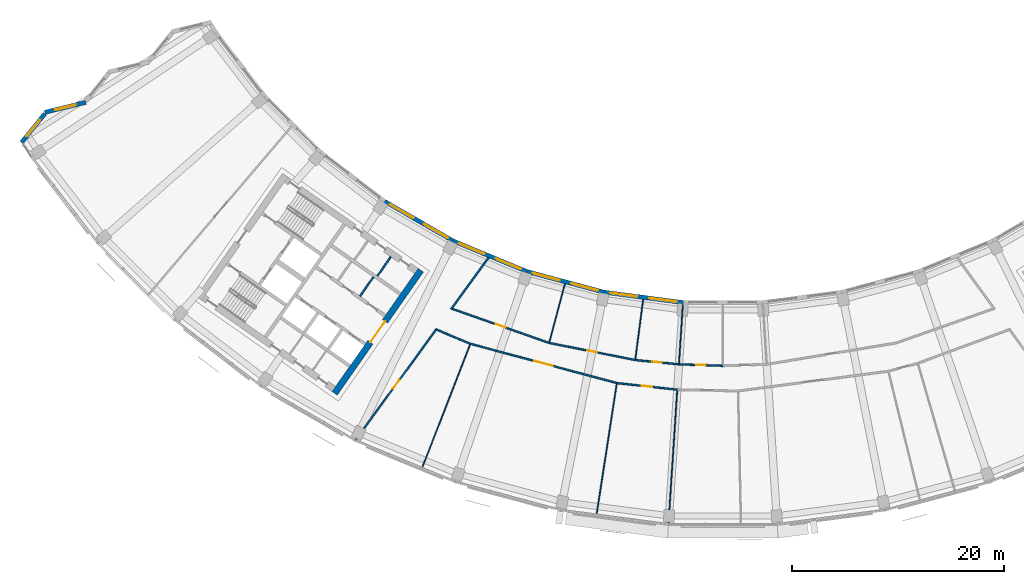
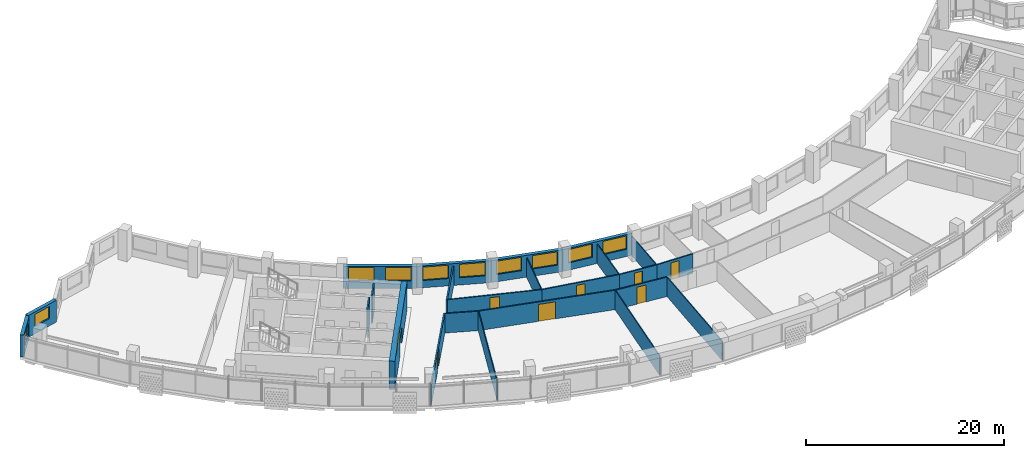
# One storey, part 4 of 29: 24 walls, 10 windows, 8 doors, 18 openings.
"""IFC4 building model written with IfcOpenShell, lengths in metres."""

from ifc_helpers import new_model, si_unit, direction, frame, frame_2d, origin, place, context, subcontext, project, spatial, rectangle, extrude, material, layer, layer_set, type_object, element, fill, save


model = new_model("IFC4")

# Units and contexts
model_context = context("Model", 3, precision=1e-05, world=origin(), true_north=direction((0.0, 1.0)))
body_context = subcontext(model_context, "Body", "Model", "MODEL_VIEW")
ifc_project = project(units=[si_unit("LENGTHUNIT", "METRE"), si_unit("AREAUNIT", "SQUARE_METRE"), si_unit("VOLUMEUNIT", "CUBIC_METRE"), si_unit("PLANEANGLEUNIT", "RADIAN"), si_unit("MASSUNIT", "GRAM", prefix="KILO")], contexts=[model_context])

# Site, building, storey
site_placement = place(None, origin())
site = spatial("IfcSite", under=ifc_project, at=site_placement, CompositionType="ELEMENT")
building_placement = place(site_placement, origin())
building = spatial("IfcBuilding", under=site, at=building_placement, Name="Qamariyya Broadcast Tower", CompositionType="ELEMENT")
storey_placement = place(building_placement, frame((0.0, 0.0, 207.5)))
storey = spatial("IfcBuildingStorey", under=building, at=storey_placement, Name="L49", CompositionType="ELEMENT", Elevation=207.5)

# Wall, opening, door
ifc_material_1 = material(Name="Concrete C60/75", Category="concrete")
ifc_layer_1 = layer(ifc_material_1, 0.60009765625)
ifc_layer_set_1 = layer_set([ifc_layer_1], Name="Core wall 600 mm Concrete C60/75")
wall_type_1 = type_object("IfcWallType", Name="Core wall 600 mm Concrete C60/75", PredefinedType="SHEAR", material=ifc_layer_set_1)
wall_1_placement = place(storey_placement, frame((-36.66748046875, -66.005126953125, 0.0), z_axis=(0.0, 0.0, 1.0), x_axis=(0.573568499524, 0.819157601658, 0.0)))
wall_1 = element("IfcWall", 1, at=wall_1_placement, inside=storey, type_object=wall_type_1, Name="k-W-L49-WA", PredefinedType="SHEAR", context=body_context, shape_type="SweptSolid", body=[
    extrude(rectangle(XDim=14.19970703125, YDim=0.60009765625, at=frame_2d((7.099853515625, 0.0))), origin(), (0.0, 0.0, 1.0), 3.5),
])
opening_1_placement = place(wall_1_placement, frame((5.89990234375, 0.0, 0.0)))
opening_1 = element("IfcOpeningElement", 2, at=opening_1_placement, cuts=wall_1, Name="Opening KD3-W1", PredefinedType="OPENING", context=body_context, shape_type="SweptSolid", body=[
    extrude(rectangle(XDim=2.39990234375, YDim=2.10009765625, at=frame_2d((1.199951171875, 1.050048828125))), frame((0.0, 0.31005859375, 0.0), z_axis=(0.0, -1.0, 0.0), x_axis=(1.0, 0.0, 0.0)), (0.0, 0.0, 1.0), 0.6201171875),
])
ifc_material_2 = material(Name="Steel fire-resisting door leaf", Category="steel")
door_type_1 = type_object("IfcDoorType", Name="Lift lobby door KD3", OperationType="DOUBLE_DOOR_SINGLE_SWING", PredefinedType="DOOR", material=ifc_material_2)
door_1_placement = place(opening_1_placement, origin())
door_1 = element("IfcDoor", 3, at=door_1_placement, inside=storey, type_object=door_type_1, Name="k-W-L49-WA-D1", OperationType="DOUBLE_DOOR_SINGLE_SWING", OverallHeight=2.10009765625, OverallWidth=2.39990234375, PredefinedType="DOOR", context=body_context, shape_type="SweptSolid", body=[
    extrude(rectangle(XDim=2.39990234375, YDim=2.10009765625, at=frame_2d((1.199951171875, 1.050048828125))), frame((0.0, 0.02490234375, 0.0), z_axis=(0.0, -1.0, 0.0), x_axis=(1.0, 0.0, 0.0)), (0.0, 0.0, 1.0), 0.050048828125),
])
fill(opening_1, door_1)

ifc_material_3 = material(Name="Gypsum board partition")
ifc_layer_2 = layer(ifc_material_3, 0.14990234375)
ifc_layer_set_2 = layer_set([ifc_layer_2], Name="Corridor partition 150 EI 60")
wall_type_2 = type_object("IfcWallType", Name="Corridor partition 150 EI 60", PredefinedType="PARTITIONING", material=ifc_layer_set_2)
wall_2_placement = place(storey_placement, frame((-27.033447265625, -59.90966796875, 0.0), z_axis=(0.0, 0.0, 1.0), x_axis=(-0.589273648147, -0.807933516819, 0.0)))
wall_2 = element("IfcWall", 4, at=wall_2_placement, inside=storey, type_object=wall_type_2, Name="Partition L49-003", PredefinedType="PARTITIONING", context=body_context, shape_type="SweptSolid", body=[
    extrude(rectangle(XDim=12.956298828125, YDim=0.14990234375, at=frame_2d((6.47802734375, 0.0))), origin(), (0.0, 0.0, 1.0), 2.39990234375),
])
opening_2_placement = place(wall_2_placement, frame((5.97802734375, 0.0, 0.0)))
opening_2 = element("IfcOpeningElement", 5, at=opening_2_placement, cuts=wall_2, Name="Opening L49-D01", PredefinedType="OPENING", context=body_context, shape_type="SweptSolid", body=[
    extrude(rectangle(XDim=1.0, YDim=2.10009765625, at=frame_2d((0.5, 1.050048828125))), frame((0.0, 0.0849609375, 0.0), z_axis=(0.0, -1.0, 0.0), x_axis=(1.0, 0.0, 0.0)), (0.0, 0.0, 1.0), 0.169921875),
])
ifc_material_4 = material(Name="Timber fire door leaf", Category="wood")
door_type_2 = type_object("IfcDoorType", Name="Fire door 1000 x 2100 FD60", OperationType="NOTDEFINED", PredefinedType="DOOR", material=ifc_material_4)
door_2_placement = place(opening_2_placement, origin())
door_2 = element("IfcDoor", 6, at=door_2_placement, inside=storey, type_object=door_type_2, Name="Door L49-D01", OperationType="SINGLE_SWING_RIGHT", OverallHeight=2.10009765625, OverallWidth=1.0, PredefinedType="DOOR", context=body_context, shape_type="SweptSolid", body=[
    extrude(rectangle(XDim=1.0, YDim=2.10009765625, at=frame_2d((0.5, 1.050048828125))), frame((0.0, 0.02490234375, 0.0), z_axis=(0.0, -1.0, 0.0), x_axis=(1.0, 0.0, 0.0)), (0.0, 0.0, 1.0), 0.050048828125),
])
fill(opening_2, door_2)

# Wall
wall_3_placement = place(storey_placement, frame((-27.008544921875, -59.999267578125, 0.0), z_axis=(0.0, 0.0, 1.0), x_axis=(0.922043605685, -0.387086023018, 0.0)))
element("IfcWall", 7, at=wall_3_placement, inside=storey, type_object=wall_type_2, Name="Partition L49-004", PredefinedType="PARTITIONING", context=body_context, shape_type="SweptSolid", body=[
    extrude(rectangle(XDim=3.42919921875, YDim=0.14990234375, at=frame_2d((1.714599609375, 0.0))), origin(), (0.0, 0.0, 1.0), 2.39990234375),
])

# Wall, opening, door
wall_4_placement = place(storey_placement, frame((-25.56103515625, -58.0126953125, 0.0), z_axis=(0.0, 0.0, 1.0), x_axis=(0.943087830275, -0.332543748081, 0.0)))
wall_4 = element("IfcWall", 8, at=wall_4_placement, inside=storey, type_object=wall_type_2, Name="Partition L49-005", PredefinedType="PARTITIONING", context=body_context, shape_type="SweptSolid", body=[
    extrude(rectangle(XDim=9.7041015625, YDim=0.14990234375, at=frame_2d((4.85205078125, 0.0))), origin(), (0.0, 0.0, 1.0), 2.39990234375),
])
opening_3_placement = place(wall_4_placement, frame((4.35205078125, 0.0, 0.0)))
opening_3 = element("IfcOpeningElement", 9, at=opening_3_placement, cuts=wall_4, Name="Opening L49-D08", PredefinedType="OPENING", context=body_context, shape_type="SweptSolid", body=[
    extrude(rectangle(XDim=1.0, YDim=2.10009765625, at=frame_2d((0.5, 1.050048828125))), frame((0.0, 0.0849609375, 0.0), z_axis=(0.0, -1.0, 0.0), x_axis=(1.0, 0.0, 0.0)), (0.0, 0.0, 1.0), 0.169921875),
])
door_3_placement = place(opening_3_placement, origin())
door_3 = element("IfcDoor", 10, at=door_3_placement, inside=storey, type_object=door_type_2, Name="Door L49-D08", OperationType="SINGLE_SWING_RIGHT", OverallHeight=2.10009765625, OverallWidth=1.0, PredefinedType="DOOR", context=body_context, shape_type="SweptSolid", body=[
    extrude(rectangle(XDim=1.0, YDim=2.10009765625, at=frame_2d((0.5, 1.050048828125))), frame((0.0, 0.02490234375, 0.0), z_axis=(0.0, -1.0, 0.0), x_axis=(1.0, 0.0, 0.0)), (0.0, 0.0, 1.0), 0.050048828125),
])
fill(opening_3, door_3)

wall_5_placement = place(storey_placement, frame((-10.011474609375, -65.033935546875, 0.0), z_axis=(0.0, 0.0, 1.0), x_axis=(-0.965923323977, 0.258828383677, 0.0)))
wall_5 = element("IfcWall", 11, at=wall_5_placement, inside=storey, type_object=wall_type_2, Name="Partition L49-006", PredefinedType="PARTITIONING", context=body_context, shape_type="SweptSolid", body=[
    extrude(rectangle(XDim=14.3232421875, YDim=0.14990234375, at=frame_2d((7.16162109375, 0.0))), origin(), (0.0, 0.0, 1.0), 2.39990234375),
])
opening_4_placement = place(wall_5_placement, frame((6.26171875, 0.0, 0.0)))
opening_4 = element("IfcOpeningElement", 12, at=opening_4_placement, cuts=wall_5, Name="Opening L49-D02", PredefinedType="OPENING", context=body_context, shape_type="SweptSolid", body=[
    extrude(rectangle(XDim=1.800048828125, YDim=2.10009765625, at=frame_2d((0.89990234375, 1.050048828125))), frame((0.0, 0.0849609375, 0.0), z_axis=(0.0, -1.0, 0.0), x_axis=(1.0, 0.0, 0.0)), (0.0, 0.0, 1.0), 0.169921875),
])
door_type_3 = type_object("IfcDoorType", Name="Double fire door 1800 x 2100 FD60", OperationType="NOTDEFINED", PredefinedType="DOOR", material=ifc_material_4)
door_4_placement = place(opening_4_placement, origin())
door_4 = element("IfcDoor", 13, at=door_4_placement, inside=storey, type_object=door_type_3, Name="Door L49-D02", OperationType="DOUBLE_DOOR_SINGLE_SWING", OverallHeight=2.10009765625, OverallWidth=1.800048828125, PredefinedType="DOOR", context=body_context, shape_type="SweptSolid", body=[
    extrude(rectangle(XDim=1.800048828125, YDim=2.10009765625, at=frame_2d((0.89990234375, 1.050048828125))), frame((0.0, 0.02490234375, 0.0), z_axis=(0.0, -1.0, 0.0), x_axis=(1.0, 0.0, 0.0)), (0.0, 0.0, 1.0), 0.050048828125),
])
fill(opening_4, door_4)

# Wall
wall_6_placement = place(storey_placement, frame((-22.135498046875, -53.1943359375, 0.0), z_axis=(0.0, 0.0, 1.0), x_axis=(-0.589297062476, -0.807916438846, 0.0)))
element("IfcWall", 14, at=wall_6_placement, inside=storey, type_object=wall_type_2, Name="Partition L49-007", PredefinedType="PARTITIONING", context=body_context, shape_type="SweptSolid", body=[
    extrude(rectangle(XDim=6.008056640625, YDim=0.14990234375, at=frame_2d((3.00390625, 0.0))), origin(), (0.0, 0.0, 1.0), 2.39990234375),
])

# Wall, opening, door
wall_7_placement = place(storey_placement, frame((-16.4091796875, -61.23974609375, 0.0), z_axis=(0.0, 0.0, 1.0), x_axis=(0.98078508005, -0.195091329256, 0.0)))
wall_7 = element("IfcWall", 15, at=wall_7_placement, inside=storey, type_object=wall_type_2, Name="Partition L49-008", PredefinedType="PARTITIONING", context=body_context, shape_type="SweptSolid", body=[
    extrude(rectangle(XDim=8.293212890625, YDim=0.14990234375, at=frame_2d((4.146484375, 0.0))), origin(), (0.0, 0.0, 1.0), 2.39990234375),
])
opening_5_placement = place(wall_7_placement, frame((3.696533203125, 0.0, 0.0)))
opening_5 = element("IfcOpeningElement", 16, at=opening_5_placement, cuts=wall_7, Name="Opening L49-D09", PredefinedType="OPENING", context=body_context, shape_type="SweptSolid", body=[
    extrude(rectangle(XDim=0.89990234375, YDim=2.10009765625, at=frame_2d((0.449951171875, 1.050048828125))), frame((0.0, 0.0849609375, 0.0), z_axis=(0.0, -1.0, 0.0), x_axis=(1.0, 0.0, 0.0)), (0.0, 0.0, 1.0), 0.169921875),
])
door_type_4 = type_object("IfcDoorType", Name="Fire door 900 x 2100 FD60", OperationType="NOTDEFINED", PredefinedType="DOOR", material=ifc_material_4)
door_5_placement = place(opening_5_placement, origin())
door_5 = element("IfcDoor", 17, at=door_5_placement, inside=storey, type_object=door_type_4, Name="Door L49-D09", OperationType="SINGLE_SWING_RIGHT", OverallHeight=2.10009765625, OverallWidth=0.89990234375, PredefinedType="DOOR", context=body_context, shape_type="SweptSolid", body=[
    extrude(rectangle(XDim=0.89990234375, YDim=2.10009765625, at=frame_2d((0.449951171875, 1.050048828125))), frame((0.0, 0.02490234375, 0.0), z_axis=(0.0, -1.0, 0.0), x_axis=(1.0, 0.0, 0.0)), (0.0, 0.0, 1.0), 0.050048828125),
])
fill(opening_5, door_5)

wall_8_placement = place(storey_placement, frame((-4.303466796875, -65.6591796875, 0.0), z_axis=(0.0, 0.0, 1.0), x_axis=(-0.99405415906, 0.108886770802, 0.0)))
wall_8 = element("IfcWall", 18, at=wall_8_placement, inside=storey, type_object=wall_type_2, Name="Partition L49-011", PredefinedType="PARTITIONING", context=body_context, shape_type="SweptSolid", body=[
    extrude(rectangle(XDim=5.7421875, YDim=0.14990234375, at=frame_2d((2.87109375, 0.0))), origin(), (0.0, 0.0, 1.0), 2.39990234375),
])
opening_6_placement = place(wall_8_placement, frame((2.37109375, 0.0, 0.0)))
opening_6 = element("IfcOpeningElement", 19, at=opening_6_placement, cuts=wall_8, Name="Opening L49-D03", PredefinedType="OPENING", context=body_context, shape_type="SweptSolid", body=[
    extrude(rectangle(XDim=1.0, YDim=2.10009765625, at=frame_2d((0.5, 1.050048828125))), frame((0.0, 0.0849609375, 0.0), z_axis=(0.0, -1.0, 0.0), x_axis=(1.0, 0.0, 0.0)), (0.0, 0.0, 1.0), 0.169921875),
])
door_6_placement = place(opening_6_placement, origin())
door_6 = element("IfcDoor", 20, at=door_6_placement, inside=storey, type_object=door_type_2, Name="Door L49-D03", OperationType="SINGLE_SWING_RIGHT", OverallHeight=2.10009765625, OverallWidth=1.0, PredefinedType="DOOR", context=body_context, shape_type="SweptSolid", body=[
    extrude(rectangle(XDim=1.0, YDim=2.10009765625, at=frame_2d((0.5, 1.050048828125))), frame((0.0, 0.02490234375, 0.0), z_axis=(0.0, -1.0, 0.0), x_axis=(1.0, 0.0, 0.0)), (0.0, 0.0, 1.0), 0.050048828125),
])
fill(opening_6, door_6)

wall_9_placement = place(storey_placement, frame((-8.275390625, -62.857666015625, 0.0), z_axis=(0.0, 0.0, 1.0), x_axis=(0.995188667069, -0.097977124567, 0.0)))
wall_9 = element("IfcWall", 21, at=wall_9_placement, inside=storey, type_object=wall_type_2, Name="Partition L49-012", PredefinedType="PARTITIONING", context=body_context, shape_type="SweptSolid", body=[
    extrude(rectangle(XDim=4.14892578125, YDim=0.14990234375, at=frame_2d((2.074462890625, 0.0))), origin(), (0.0, 0.0, 1.0), 2.39990234375),
])
opening_7_placement = place(wall_9_placement, frame((1.62451171875, 0.0, 0.0)))
opening_7 = element("IfcOpeningElement", 22, at=opening_7_placement, cuts=wall_9, Name="Opening L49-D10", PredefinedType="OPENING", context=body_context, shape_type="SweptSolid", body=[
    extrude(rectangle(XDim=0.89990234375, YDim=2.10009765625, at=frame_2d((0.449951171875, 1.050048828125))), frame((0.0, 0.0849609375, 0.0), z_axis=(0.0, -1.0, 0.0), x_axis=(1.0, 0.0, 0.0)), (0.0, 0.0, 1.0), 0.169921875),
])
door_7_placement = place(opening_7_placement, origin())
door_7 = element("IfcDoor", 23, at=door_7_placement, inside=storey, type_object=door_type_4, Name="Door L49-D10", OperationType="SINGLE_SWING_RIGHT", OverallHeight=2.10009765625, OverallWidth=0.89990234375, PredefinedType="DOOR", context=body_context, shape_type="SweptSolid", body=[
    extrude(rectangle(XDim=0.89990234375, YDim=2.10009765625, at=frame_2d((0.449951171875, 1.050048828125))), frame((0.0, 0.02490234375, 0.0), z_axis=(0.0, -1.0, 0.0), x_axis=(1.0, 0.0, 0.0)), (0.0, 0.0, 1.0), 0.050048828125),
])
fill(opening_7, door_7)

wall_10_placement = place(storey_placement, frame((-4.146484375, -63.26416015625, 0.0), z_axis=(0.0, 0.0, 1.0), x_axis=(0.999464584765, -0.032719165634, 0.0)))
wall_10 = element("IfcWall", 24, at=wall_10_placement, inside=storey, type_object=wall_type_2, Name="Partition L49-016", PredefinedType="PARTITIONING", context=body_context, shape_type="SweptSolid", body=[
    extrude(rectangle(XDim=4.148681640625, YDim=0.14990234375, at=frame_2d((2.07421875, 0.0))), origin(), (0.0, 0.0, 1.0), 2.39990234375),
])
opening_8_placement = place(wall_10_placement, frame((1.62451171875, 0.0, 0.0)))
opening_8 = element("IfcOpeningElement", 25, at=opening_8_placement, cuts=wall_10, Name="Opening L49-D11", PredefinedType="OPENING", context=body_context, shape_type="SweptSolid", body=[
    extrude(rectangle(XDim=0.89990234375, YDim=2.10009765625, at=frame_2d((0.449951171875, 1.050048828125))), frame((0.0, 0.0849609375, 0.0), z_axis=(0.0, -1.0, 0.0), x_axis=(1.0, 0.0, 0.0)), (0.0, 0.0, 1.0), 0.169921875),
])
door_8_placement = place(opening_8_placement, origin())
door_8 = element("IfcDoor", 26, at=door_8_placement, inside=storey, type_object=door_type_4, Name="Door L49-D11", OperationType="SINGLE_SWING_RIGHT", OverallHeight=2.10009765625, OverallWidth=0.89990234375, PredefinedType="DOOR", context=body_context, shape_type="SweptSolid", body=[
    extrude(rectangle(XDim=0.89990234375, YDim=2.10009765625, at=frame_2d((0.449951171875, 1.050048828125))), frame((0.0, 0.02490234375, 0.0), z_axis=(0.0, -1.0, 0.0), x_axis=(1.0, 0.0, 0.0)), (0.0, 0.0, 1.0), 0.050048828125),
])
fill(opening_8, door_8)

# Walls
ifc_material_5 = material(Name="Gypsum board partition on steel studs", Category="steel")
ifc_layer_3 = layer(ifc_material_5, 0.14990234375)
ifc_layer_set_3 = layer_set([ifc_layer_3], Name="Gypsum board partition 150 mm")
wall_type_3 = type_object("IfcWallType", Name="Gypsum board partition 150 mm", PredefinedType="PARTITIONING", material=ifc_layer_set_3)
wall_11_placement = place(storey_placement, frame((-34.26611328125, -56.822021484375, 0.0), z_axis=(0.0, 0.0, 1.0), x_axis=(0.573581496053, 0.819148501424, 0.0)))
element("IfcWall", 27, at=wall_11_placement, inside=storey, type_object=wall_type_3, Name="k-W-L49-NC300", PredefinedType="PARTITIONING", context=body_context, shape_type="SweptSolid", body=[
    extrude(rectangle(XDim=2.2001953125, YDim=0.14990234375, at=frame_2d((1.10009765625, 0.0))), origin(), (0.0, 0.0, 1.0), 3.5),
])
wall_12_placement = place(storey_placement, frame((-32.627197265625, -54.91748046875, 0.0), z_axis=(0.0, 0.0, 1.0), x_axis=(0.573507030513, 0.819200638399, 0.0)))
element("IfcWall", 28, at=wall_12_placement, inside=storey, type_object=wall_type_3, Name="k-W-L49-NP275", PredefinedType="PARTITIONING", context=body_context, shape_type="SweptSolid", body=[
    extrude(rectangle(XDim=2.199951171875, YDim=0.14990234375, at=frame_2d((1.10009765625, 0.0))), origin(), (0.0, 0.0, 1.0), 3.5),
])
ifc_layer_4 = layer(ifc_material_3, 0.10009765625)
ifc_layer_set_4 = layer_set([ifc_layer_4], Name="Partition 100")
wall_type_4 = type_object("IfcWallType", Name="Partition 100", PredefinedType="PARTITIONING", material=ifc_layer_set_4)
wall_13_placement = place(storey_placement, frame((-28.376953125, -72.977294921875, 0.0), z_axis=(0.0, 0.0, 1.0), x_axis=(0.362402643561, 0.932021632764, 0.0)))
element("IfcWall", 29, at=wall_13_placement, inside=storey, type_object=wall_type_4, Name="Partition L49-002", PredefinedType="PARTITIONING", context=body_context, shape_type="SweptSolid", body=[
    extrude(rectangle(XDim=12.42529296875, YDim=0.10009765625, at=frame_2d((6.212646484375, 0.0))), origin(), (0.0, 0.0, 1.0), 2.39990234375),
])
wall_14_placement = place(storey_placement, frame((-14.9150390625, -55.66357421875, 0.0), z_axis=(0.0, 0.0, 1.0), x_axis=(-0.258803907589, -0.965929882247, 0.0)))
element("IfcWall", 30, at=wall_14_placement, inside=storey, type_object=wall_type_4, Name="Partition L49-009", PredefinedType="PARTITIONING", context=body_context, shape_type="SweptSolid", body=[
    extrude(rectangle(XDim=5.69775390625, YDim=0.10009765625, at=frame_2d((2.848876953125, 0.0))), origin(), (0.0, 0.0, 1.0), 2.39990234375),
])
wall_15_placement = place(storey_placement, frame((-11.91357421875, -77.388671875, 0.0), z_axis=(0.0, 0.0, 1.0), x_axis=(0.152160538539, 0.988355791459, 0.0)))
element("IfcWall", 31, at=wall_15_placement, inside=storey, type_object=wall_type_4, Name="Partition L49-010", PredefinedType="PARTITIONING", context=body_context, shape_type="SweptSolid", body=[
    extrude(rectangle(XDim=12.42529296875, YDim=0.10009765625, at=frame_2d((6.212646484375, 0.0))), origin(), (0.0, 0.0, 1.0), 2.39990234375),
])
wall_16_placement = place(storey_placement, frame((-7.52197265625, -57.13427734375, 0.0), z_axis=(0.0, 0.0, 1.0), x_axis=(-0.130518800749, -0.991445834451, 0.0)))
element("IfcWall", 32, at=wall_16_placement, inside=storey, type_object=wall_type_4, Name="Partition L49-013", PredefinedType="PARTITIONING", context=body_context, shape_type="SweptSolid", body=[
    extrude(rectangle(XDim=5.69775390625, YDim=0.10009765625, at=frame_2d((2.848876953125, 0.0))), origin(), (0.0, 0.0, 1.0), 2.39990234375),
])
wall_17_placement = place(storey_placement, frame((-5.130859375, -78.281982421875, 0.0), z_axis=(0.0, 0.0, 1.0), x_axis=(0.065408206533, 0.997858590442, 0.0)))
element("IfcWall", 33, at=wall_17_placement, inside=storey, type_object=wall_type_4, Name="Partition L49-014", PredefinedType="PARTITIONING", context=body_context, shape_type="SweptSolid", body=[
    extrude(rectangle(XDim=12.574951171875, YDim=0.10009765625, at=frame_2d((6.28759765625, 0.0))), origin(), (0.0, 0.0, 1.0), 2.39990234375),
])
wall_18_placement = place(storey_placement, frame((-3.777099609375, -57.62646484375, 0.0), z_axis=(0.0, 0.0, 1.0), x_axis=(-0.065382488891, -0.997860275864, 0.0)))
element("IfcWall", 34, at=wall_18_placement, inside=storey, type_object=wall_type_4, Name="Partition L49-017", PredefinedType="PARTITIONING", context=body_context, shape_type="SweptSolid", body=[
    extrude(rectangle(XDim=5.574951171875, YDim=0.10009765625, at=frame_2d((2.78759765625, 0.0))), origin(), (0.0, 0.0, 1.0), 2.39990234375),
])

# Wall, opening, window
ifc_material_6 = material(Name="Terracotta", Category="masonry")
ifc_layer_5 = layer(ifc_material_6, 0.39990234375)
ifc_layer_set_5 = layer_set([ifc_layer_5], Name="Terracotta clad wall 400")
wall_type_5 = type_object("IfcWallType", Name="Terracotta clad wall 400", PredefinedType="SOLIDWALL", material=ifc_layer_set_5)
wall_19_placement = place(storey_placement, frame((-60.166259765625, -38.51318359375, 0.0), z_axis=(0.0, 0.0, 1.0), x_axis=(-0.971551687315, -0.23682761426, 0.0)))
wall_19 = element("IfcWall", 35, at=wall_19_placement, inside=storey, type_object=wall_type_5, Name="e-wl-L49-capW4", PredefinedType="SOLIDWALL", context=body_context, shape_type="SweptSolid", body=[
    extrude(rectangle(XDim=3.978271484375, YDim=0.39990234375, at=frame_2d((1.9892578125, 0.0))), origin(), (0.0, 0.0, 1.0), 2.699951171875),
])
opening_9_placement = place(wall_19_placement, frame((0.989013671875, 0.0, 0.89990234375)))
opening_9 = element("IfcOpeningElement", 36, at=opening_9_placement, cuts=wall_19, Name="Opening W4", PredefinedType="OPENING", context=body_context, shape_type="SweptSolid", body=[
    extrude(rectangle(XDim=2.0, YDim=1.5, at=frame_2d((1.0, 0.75))), frame((0.0, 0.2099609375, 0.0), z_axis=(0.0, -1.0, 0.0), x_axis=(1.0, 0.0, 0.0)), (0.0, 0.0, 1.0), 0.419921875),
])
ifc_material_7 = material(Name="Clear low-e double glazed unit in aluminium frame", Category="aluminium")
window_type_1 = type_object("IfcWindowType", Name="Horn bay window 2000 x 1500", PartitioningType="SINGLE_PANEL", PredefinedType="WINDOW", material=ifc_material_7)
window_1_placement = place(opening_9_placement, origin())
window_1 = element("IfcWindow", 37, at=window_1_placement, inside=storey, type_object=window_type_1, Name="e-w-L49-capW4", OverallHeight=1.5, OverallWidth=2.0, PartitioningType="SINGLE_PANEL", PredefinedType="WINDOW", context=body_context, shape_type="SweptSolid", body=[
    extrude(rectangle(XDim=2.0, YDim=1.5, at=frame_2d((1.0, 0.75))), frame((0.0, 0.030029296875, 0.0), z_axis=(0.0, -1.0, 0.0), x_axis=(1.0, 0.0, 0.0)), (0.0, 0.0, 1.0), 0.06005859375),
])
fill(opening_9, window_1)

wall_20_placement = place(storey_placement, frame((-64.05078125, -39.59521484375, 0.0), z_axis=(0.0, 0.0, 1.0), x_axis=(-0.628562925622, -0.777758734142, 0.0)))
wall_20 = element("IfcWall", 38, at=wall_20_placement, inside=storey, type_object=wall_type_5, Name="e-wl-L49-capW5", PredefinedType="SOLIDWALL", context=body_context, shape_type="SweptSolid", body=[
    extrude(rectangle(XDim=3.472412109375, YDim=0.39990234375, at=frame_2d((1.736328125, 0.0))), origin(), (0.0, 0.0, 1.0), 2.699951171875),
])
opening_10_placement = place(wall_20_placement, frame((0.736083984375, 0.0, 0.89990234375)))
opening_10 = element("IfcOpeningElement", 39, at=opening_10_placement, cuts=wall_20, Name="Opening W4", PredefinedType="OPENING", context=body_context, shape_type="SweptSolid", body=[
    extrude(rectangle(XDim=2.0, YDim=1.5, at=frame_2d((1.0, 0.75))), frame((0.0, 0.2099609375, 0.0), z_axis=(0.0, -1.0, 0.0), x_axis=(1.0, 0.0, 0.0)), (0.0, 0.0, 1.0), 0.419921875),
])
window_2_placement = place(opening_10_placement, origin())
window_2 = element("IfcWindow", 40, at=window_2_placement, inside=storey, type_object=window_type_1, Name="e-w-L49-capW5", OverallHeight=1.5, OverallWidth=2.0, PartitioningType="SINGLE_PANEL", PredefinedType="WINDOW", context=body_context, shape_type="SweptSolid", body=[
    extrude(rectangle(XDim=2.0, YDim=1.5, at=frame_2d((1.0, 0.75))), frame((0.0, 0.030029296875, 0.0), z_axis=(0.0, -1.0, 0.0), x_axis=(1.0, 0.0, 0.0)), (0.0, 0.0, 1.0), 0.06005859375),
])
fill(opening_10, window_2)

# Wall, openings, windows
wall_21_placement = place(storey_placement, frame((-25.497802734375, -51.590087890625, 0.0), z_axis=(0.0, 0.0, 1.0), x_axis=(-0.866021353871, 0.500007014591, 0.0)))
wall_21 = element("IfcWall", 41, at=wall_21_placement, inside=storey, type_object=wall_type_5, Name="e-wl-L49-in40", PredefinedType="SOLIDWALL", context=body_context, shape_type="SweptSolid", body=[
    extrude(rectangle(XDim=7.4267578125, YDim=0.39990234375, at=frame_2d((3.71337890625, 0.0))), origin(), (0.0, 0.0, 1.0), 2.699951171875),
])
opening_11_placement = place(wall_21_placement, frame((4.28857421875, 0.0, 0.89990234375)))
opening_11 = element("IfcOpeningElement", 42, at=opening_11_placement, cuts=wall_21, Name="Opening W1", PredefinedType="OPENING", context=body_context, shape_type="SweptSolid", body=[
    extrude(rectangle(XDim=2.60009765625, YDim=1.64990234375, at=frame_2d((1.300048828125, 0.824951171875))), frame((0.0, 0.2099609375, 0.0), z_axis=(0.0, -1.0, 0.0), x_axis=(1.0, 0.0, 0.0)), (0.0, 0.0, 1.0), 0.419921875),
])
opening_12_placement = place(wall_21_placement, frame((0.537841796875, 0.0, 0.89990234375)))
opening_12 = element("IfcOpeningElement", 43, at=opening_12_placement, cuts=wall_21, Name="Opening W1", PredefinedType="OPENING", context=body_context, shape_type="SweptSolid", body=[
    extrude(rectangle(XDim=2.60009765625, YDim=1.64990234375, at=frame_2d((1.300048828125, 0.824951171875))), frame((0.0, 0.2099609375, 0.0), z_axis=(0.0, -1.0, 0.0), x_axis=(1.0, 0.0, 0.0)), (0.0, 0.0, 1.0), 0.419921875),
])
window_type_2 = type_object("IfcWindowType", Name="Ribbon window 2600 x 1650", PartitioningType="SINGLE_PANEL", PredefinedType="WINDOW", material=ifc_material_7)
window_3_placement = place(opening_11_placement, origin())
window_3 = element("IfcWindow", 44, at=window_3_placement, inside=storey, type_object=window_type_2, Name="e-w-L49-in04-0", OverallHeight=1.64990234375, OverallWidth=2.60009765625, PartitioningType="SINGLE_PANEL", PredefinedType="WINDOW", context=body_context, shape_type="SweptSolid", body=[
    extrude(rectangle(XDim=2.60009765625, YDim=1.64990234375, at=frame_2d((1.300048828125, 0.824951171875))), frame((0.0, 0.030029296875, 0.0), z_axis=(0.0, -1.0, 0.0), x_axis=(1.0, 0.0, 0.0)), (0.0, 0.0, 1.0), 0.06005859375),
])
fill(opening_11, window_3)
window_4_placement = place(opening_12_placement, origin())
window_4 = element("IfcWindow", 45, at=window_4_placement, inside=storey, type_object=window_type_2, Name="e-w-L49-in04-1", OverallHeight=1.64990234375, OverallWidth=2.60009765625, PartitioningType="SINGLE_PANEL", PredefinedType="WINDOW", context=body_context, shape_type="SweptSolid", body=[
    extrude(rectangle(XDim=2.60009765625, YDim=1.64990234375, at=frame_2d((1.300048828125, 0.824951171875))), frame((0.0, 0.030029296875, 0.0), z_axis=(0.0, -1.0, 0.0), x_axis=(1.0, 0.0, 0.0)), (0.0, 0.0, 1.0), 0.06005859375),
])
fill(opening_12, window_4)

wall_22_placement = place(storey_placement, frame((-18.475830078125, -54.505859375, 0.0), z_axis=(0.0, 0.0, 1.0), x_axis=(-0.923884115122, 0.382672368777, 0.0)))
wall_22 = element("IfcWall", 46, at=wall_22_placement, inside=storey, type_object=wall_type_5, Name="e-wl-L49-in50", PredefinedType="SOLIDWALL", context=body_context, shape_type="SweptSolid", body=[
    extrude(rectangle(XDim=7.578125, YDim=0.39990234375, at=frame_2d((3.7890625, 0.0))), origin(), (0.0, 0.0, 1.0), 2.699951171875),
])
opening_13_placement = place(wall_22_placement, frame((4.364501953125, 0.0, 0.89990234375)))
opening_13 = element("IfcOpeningElement", 47, at=opening_13_placement, cuts=wall_22, Name="Opening W1", PredefinedType="OPENING", context=body_context, shape_type="SweptSolid", body=[
    extrude(rectangle(XDim=2.60009765625, YDim=1.64990234375, at=frame_2d((1.300048828125, 0.824951171875))), frame((0.0, 0.2099609375, 0.0), z_axis=(0.0, -1.0, 0.0), x_axis=(1.0, 0.0, 0.0)), (0.0, 0.0, 1.0), 0.419921875),
])
opening_14_placement = place(wall_22_placement, frame((0.613525390625, 0.0, 0.89990234375)))
opening_14 = element("IfcOpeningElement", 48, at=opening_14_placement, cuts=wall_22, Name="Opening W1", PredefinedType="OPENING", context=body_context, shape_type="SweptSolid", body=[
    extrude(rectangle(XDim=2.60009765625, YDim=1.64990234375, at=frame_2d((1.300048828125, 0.824951171875))), frame((0.0, 0.2099609375, 0.0), z_axis=(0.0, -1.0, 0.0), x_axis=(1.0, 0.0, 0.0)), (0.0, 0.0, 1.0), 0.419921875),
])
window_5_placement = place(opening_13_placement, origin())
window_5 = element("IfcWindow", 49, at=window_5_placement, inside=storey, type_object=window_type_2, Name="e-w-L49-in05-0", OverallHeight=1.64990234375, OverallWidth=2.60009765625, PartitioningType="SINGLE_PANEL", PredefinedType="WINDOW", context=body_context, shape_type="SweptSolid", body=[
    extrude(rectangle(XDim=2.60009765625, YDim=1.64990234375, at=frame_2d((1.300048828125, 0.824951171875))), frame((0.0, 0.030029296875, 0.0), z_axis=(0.0, -1.0, 0.0), x_axis=(1.0, 0.0, 0.0)), (0.0, 0.0, 1.0), 0.06005859375),
])
fill(opening_13, window_5)
window_6_placement = place(opening_14_placement, origin())
window_6 = element("IfcWindow", 50, at=window_6_placement, inside=storey, type_object=window_type_2, Name="e-w-L49-in05-1", OverallHeight=1.64990234375, OverallWidth=2.60009765625, PartitioningType="SINGLE_PANEL", PredefinedType="WINDOW", context=body_context, shape_type="SweptSolid", body=[
    extrude(rectangle(XDim=2.60009765625, YDim=1.64990234375, at=frame_2d((1.300048828125, 0.824951171875))), frame((0.0, 0.030029296875, 0.0), z_axis=(0.0, -1.0, 0.0), x_axis=(1.0, 0.0, 0.0)), (0.0, 0.0, 1.0), 0.06005859375),
])
fill(opening_14, window_6)

wall_23_placement = place(storey_placement, frame((-11.276611328125, -56.431396484375, 0.0), z_axis=(0.0, 0.0, 1.0), x_axis=(-0.965924866111, 0.25882262851, 0.0)))
wall_23 = element("IfcWall", 51, at=wall_23_placement, inside=storey, type_object=wall_type_5, Name="e-wl-L49-in60", PredefinedType="SOLIDWALL", context=body_context, shape_type="SweptSolid", body=[
    extrude(rectangle(XDim=7.426513671875, YDim=0.39990234375, at=frame_2d((3.71337890625, 0.0))), origin(), (0.0, 0.0, 1.0), 2.699951171875),
])
opening_15_placement = place(wall_23_placement, frame((4.28857421875, 0.0, 0.89990234375)))
opening_15 = element("IfcOpeningElement", 52, at=opening_15_placement, cuts=wall_23, Name="Opening W1", PredefinedType="OPENING", context=body_context, shape_type="SweptSolid", body=[
    extrude(rectangle(XDim=2.60009765625, YDim=1.64990234375, at=frame_2d((1.300048828125, 0.824951171875))), frame((0.0, 0.2099609375, 0.0), z_axis=(0.0, -1.0, 0.0), x_axis=(1.0, 0.0, 0.0)), (0.0, 0.0, 1.0), 0.419921875),
])
opening_16_placement = place(wall_23_placement, frame((0.537841796875, 0.0, 0.89990234375)))
opening_16 = element("IfcOpeningElement", 53, at=opening_16_placement, cuts=wall_23, Name="Opening W1", PredefinedType="OPENING", context=body_context, shape_type="SweptSolid", body=[
    extrude(rectangle(XDim=2.60009765625, YDim=1.64990234375, at=frame_2d((1.300048828125, 0.824951171875))), frame((0.0, 0.2099609375, 0.0), z_axis=(0.0, -1.0, 0.0), x_axis=(1.0, 0.0, 0.0)), (0.0, 0.0, 1.0), 0.419921875),
])
window_7_placement = place(opening_15_placement, origin())
window_7 = element("IfcWindow", 54, at=window_7_placement, inside=storey, type_object=window_type_2, Name="e-w-L49-in06-0", OverallHeight=1.64990234375, OverallWidth=2.60009765625, PartitioningType="SINGLE_PANEL", PredefinedType="WINDOW", context=body_context, shape_type="SweptSolid", body=[
    extrude(rectangle(XDim=2.60009765625, YDim=1.64990234375, at=frame_2d((1.300048828125, 0.824951171875))), frame((0.0, 0.030029296875, 0.0), z_axis=(0.0, -1.0, 0.0), x_axis=(1.0, 0.0, 0.0)), (0.0, 0.0, 1.0), 0.06005859375),
])
fill(opening_15, window_7)
window_8_placement = place(opening_16_placement, origin())
window_8 = element("IfcWindow", 55, at=window_8_placement, inside=storey, type_object=window_type_2, Name="e-w-L49-in06-1", OverallHeight=1.64990234375, OverallWidth=2.60009765625, PartitioningType="SINGLE_PANEL", PredefinedType="WINDOW", context=body_context, shape_type="SweptSolid", body=[
    extrude(rectangle(XDim=2.60009765625, YDim=1.64990234375, at=frame_2d((1.300048828125, 0.824951171875))), frame((0.0, 0.030029296875, 0.0), z_axis=(0.0, -1.0, 0.0), x_axis=(1.0, 0.0, 0.0)), (0.0, 0.0, 1.0), 0.06005859375),
])
fill(opening_16, window_8)

wall_24_placement = place(storey_placement, frame((-3.7392578125, -57.430419921875, 0.0), z_axis=(0.0, 0.0, 1.0), x_axis=(-0.991446288508, 0.130515351599, 0.0)))
wall_24 = element("IfcWall", 56, at=wall_24_placement, inside=storey, type_object=wall_type_5, Name="e-wl-L49-in70", PredefinedType="SOLIDWALL", context=body_context, shape_type="SweptSolid", body=[
    extrude(rectangle(XDim=7.57763671875, YDim=0.39990234375, at=frame_2d((3.788818359375, 0.0))), origin(), (0.0, 0.0, 1.0), 2.699951171875),
])
opening_17_placement = place(wall_24_placement, frame((4.364501953125, 0.0, 0.89990234375)))
opening_17 = element("IfcOpeningElement", 57, at=opening_17_placement, cuts=wall_24, Name="Opening W1", PredefinedType="OPENING", context=body_context, shape_type="SweptSolid", body=[
    extrude(rectangle(XDim=2.60009765625, YDim=1.64990234375, at=frame_2d((1.300048828125, 0.824951171875))), frame((0.0, 0.2099609375, 0.0), z_axis=(0.0, -1.0, 0.0), x_axis=(1.0, 0.0, 0.0)), (0.0, 0.0, 1.0), 0.419921875),
])
opening_18_placement = place(wall_24_placement, frame((0.613525390625, 0.0, 0.89990234375)))
opening_18 = element("IfcOpeningElement", 58, at=opening_18_placement, cuts=wall_24, Name="Opening W1", PredefinedType="OPENING", context=body_context, shape_type="SweptSolid", body=[
    extrude(rectangle(XDim=2.60009765625, YDim=1.64990234375, at=frame_2d((1.300048828125, 0.824951171875))), frame((0.0, 0.2099609375, 0.0), z_axis=(0.0, -1.0, 0.0), x_axis=(1.0, 0.0, 0.0)), (0.0, 0.0, 1.0), 0.419921875),
])
window_9_placement = place(opening_17_placement, origin())
window_9 = element("IfcWindow", 59, at=window_9_placement, inside=storey, type_object=window_type_2, Name="e-w-L49-in07-0", OverallHeight=1.64990234375, OverallWidth=2.60009765625, PartitioningType="SINGLE_PANEL", PredefinedType="WINDOW", context=body_context, shape_type="SweptSolid", body=[
    extrude(rectangle(XDim=2.60009765625, YDim=1.64990234375, at=frame_2d((1.300048828125, 0.824951171875))), frame((0.0, 0.030029296875, 0.0), z_axis=(0.0, -1.0, 0.0), x_axis=(1.0, 0.0, 0.0)), (0.0, 0.0, 1.0), 0.06005859375),
])
fill(opening_17, window_9)
window_10_placement = place(opening_18_placement, origin())
window_10 = element("IfcWindow", 60, at=window_10_placement, inside=storey, type_object=window_type_2, Name="e-w-L49-in07-1", OverallHeight=1.64990234375, OverallWidth=2.60009765625, PartitioningType="SINGLE_PANEL", PredefinedType="WINDOW", context=body_context, shape_type="SweptSolid", body=[
    extrude(rectangle(XDim=2.60009765625, YDim=1.64990234375, at=frame_2d((1.300048828125, 0.824951171875))), frame((0.0, 0.030029296875, 0.0), z_axis=(0.0, -1.0, 0.0), x_axis=(1.0, 0.0, 0.0)), (0.0, 0.0, 1.0), 0.06005859375),
])
fill(opening_18, window_10)

save(model, "model.ifc")
